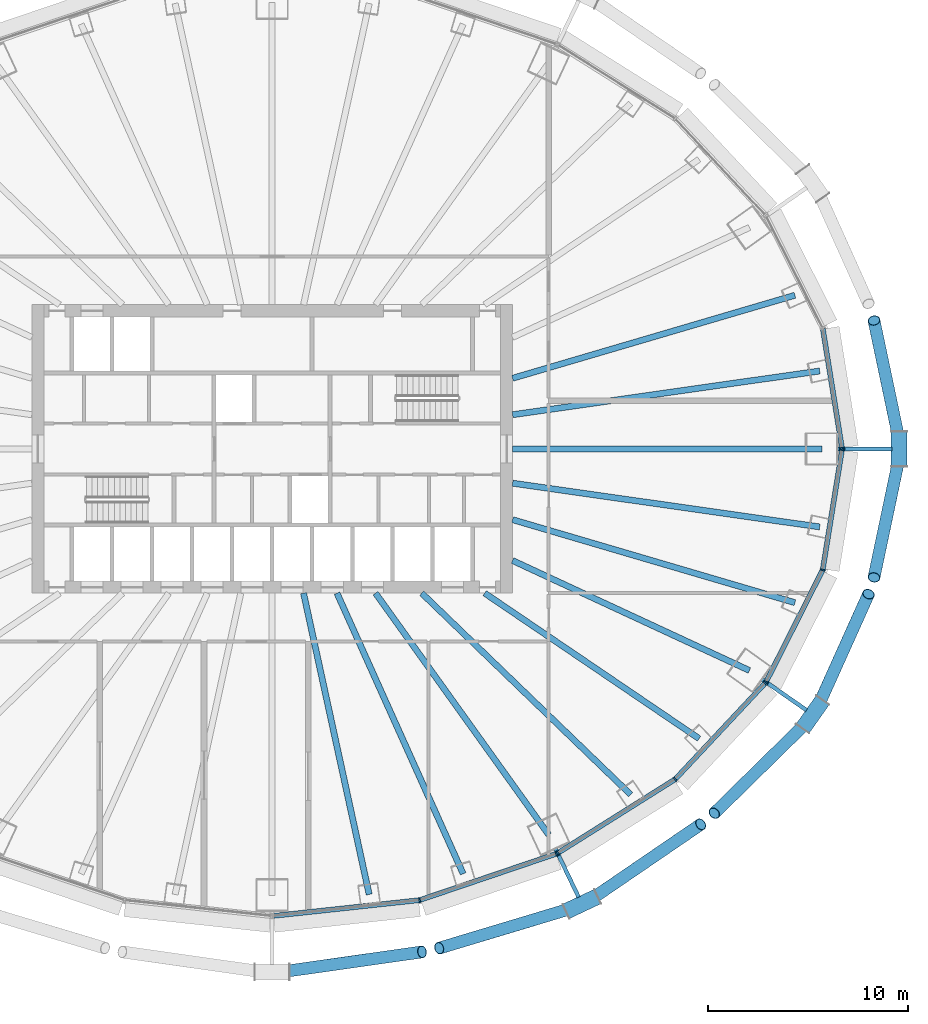
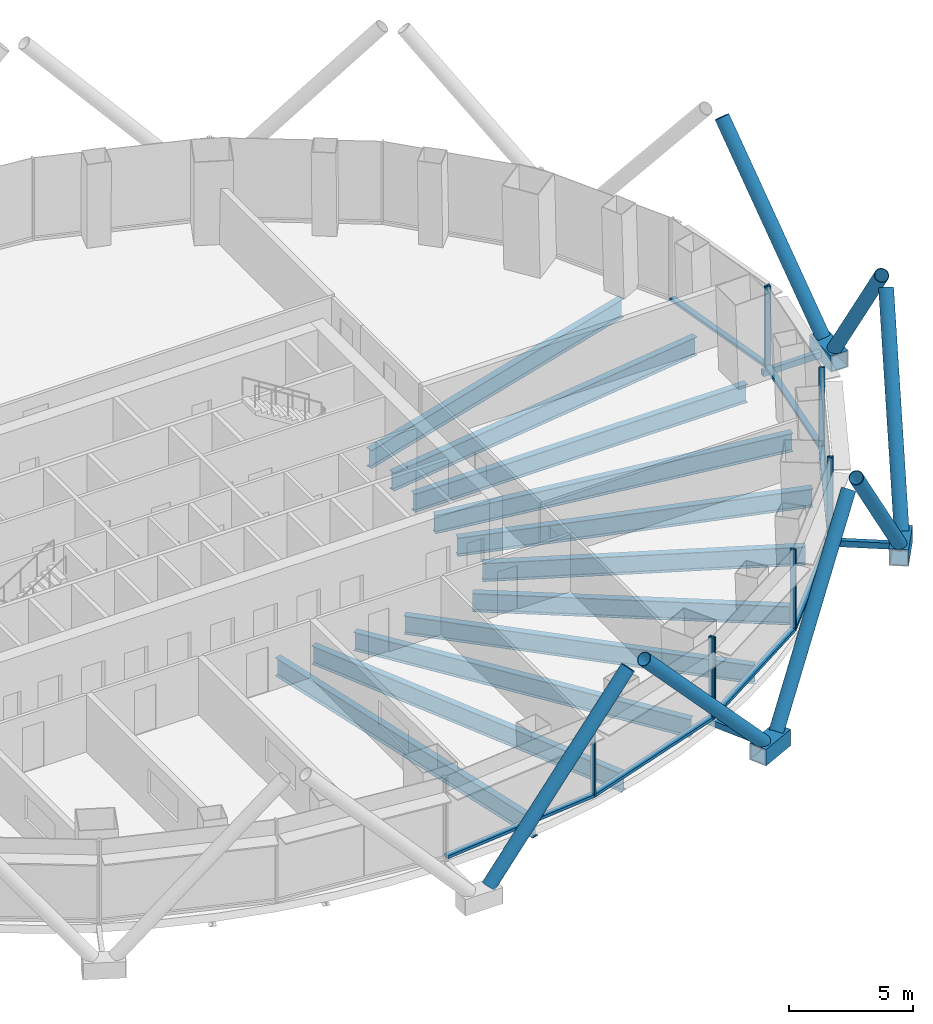
# One storey, part 3 of 16: 29 members, 11 beams, 4 elements without a shape of their own.
"""IFC4 building model written with IfcOpenShell, lengths in metres."""

from ifc_helpers import new_model, si_unit, direction, frame, origin, origin_2d, place, context, subcontext, project, spatial, rectangle, hollow_rectangle, hollow_circle, i_section, extrude, material, layer, layer_set, material_profile, profile_set, type_object, element, aggregate, save


model = new_model("IFC4")

# Units and contexts
model_context = context("Model", 3, precision=1e-05, world=origin(), true_north=direction((0.0, 1.0)))
body_context = subcontext(model_context, "Body", "Model", "MODEL_VIEW")
ifc_project = project(units=[si_unit("LENGTHUNIT", "METRE"), si_unit("AREAUNIT", "SQUARE_METRE"), si_unit("VOLUMEUNIT", "CUBIC_METRE"), si_unit("PLANEANGLEUNIT", "RADIAN"), si_unit("MASSUNIT", "GRAM", prefix="KILO")], contexts=[model_context])

# Site, building, storey
site_placement = place(None, origin())
site = spatial("IfcSite", under=ifc_project, at=site_placement, CompositionType="ELEMENT")
building_placement = place(site_placement, origin())
building = spatial("IfcBuilding", under=site, at=building_placement, Name="Siaravel Broadcast Tower", CompositionType="ELEMENT")
storey_placement = place(building_placement, frame((0.0, 0.0, 28.699951171875)))
storey = spatial("IfcBuildingStorey", under=building, at=storey_placement, Name="L05", CompositionType="ELEMENT", Elevation=28.699951171875)

# Beams
ifc_material_1 = material(Name="Steel S355", Category="steel")
ifc_material_profile_1 = material_profile(ifc_material_1, i_section(OverallWidth=0.30322265625, OverallDepth=0.903076171875, WebThickness=0.01513671875, FlangeThickness=0.020263671875, FilletRadius=0.01904296875, at=origin_2d()))
ifc_profile_set_1 = profile_set([ifc_material_profile_1], Name="Steel S355")
beam_type = type_object("IfcBeamType", Name="BM-UB 914x305x201", PredefinedType="BEAM", material=ifc_profile_set_1)
beam_1_placement = place(storey_placement, frame((27.448974609375, 0.0, -0.8515625), z_axis=(-1.0, 0.0, 0.0), x_axis=(0.0, -1.0, 0.0)))
element("IfcBeam", 1, at=beam_1_placement, inside=storey, type_object=beam_type, Name="Radial beam RB01", PredefinedType="BEAM", context=body_context, shape_type="SweptSolid", body=[
    extrude(i_section(OverallWidth=0.30322265625, OverallDepth=0.903076171875, WebThickness=0.01513671875, FlangeThickness=0.020263671875, FilletRadius=0.01904296875, at=origin_2d()), origin(), (0.0, 0.0, 1.0), 15.448974609375),
])
beam_2_placement = place(storey_placement, frame((27.3330078125, 3.892333984375, -0.8515625), z_axis=(-0.990013392, -0.140973342, 0.0), x_axis=(0.140973342, -0.990013392, 0.0)))
element("IfcBeam", 2, at=beam_2_placement, inside=storey, type_object=beam_type, Name="Radial beam RB02", PredefinedType="BEAM", context=body_context, shape_type="SweptSolid", body=[
    extrude(i_section(OverallWidth=0.30322265625, OverallDepth=0.903076171875, WebThickness=0.01513671875, FlangeThickness=0.020263671875, FilletRadius=0.01904296875, at=origin_2d()), origin(), (0.0, 0.0, 1.0), 15.48779296875),
])
beam_3_placement = place(storey_placement, frame((26.09619140625, 7.673095703125, -0.8515625), z_axis=(-0.959386931, -0.282093455, 0.0), x_axis=(0.282093455, -0.959386931, 0.0)))
element("IfcBeam", 3, at=beam_3_placement, inside=storey, type_object=beam_type, Name="Radial beam RB03", PredefinedType="BEAM", context=body_context, shape_type="SweptSolid", body=[
    extrude(i_section(OverallWidth=0.30322265625, OverallDepth=0.903076171875, WebThickness=0.01513671875, FlangeThickness=0.020263671875, FilletRadius=0.01904296875, at=origin_2d()), origin(), (0.0, 0.0, 1.0), 14.69287109375),
])
beam_4_placement = place(storey_placement, frame((4.843017578125, -22.23779296875, -0.8515625), z_axis=(-0.212789875, 0.977097983, 0.0), x_axis=(-0.977097983, -0.212789875, 0.0)))
element("IfcBeam", 4, at=beam_4_placement, inside=storey, type_object=beam_type, Name="Radial beam RB29", PredefinedType="BEAM", context=body_context, shape_type="SweptSolid", body=[
    extrude(i_section(OverallWidth=0.30322265625, OverallDepth=0.903076171875, WebThickness=0.01513671875, FlangeThickness=0.020263671875, FilletRadius=0.01904296875, at=origin_2d()), origin(), (0.0, 0.0, 1.0), 15.390380859375),
])
beam_5_placement = place(storey_placement, frame((9.535888671875, -21.2080078125, -0.8515625), z_axis=(-0.41009169, 0.9120443, 0.0), x_axis=(-0.9120443, -0.41009169, 0.0)))
element("IfcBeam", 5, at=beam_5_placement, inside=storey, type_object=beam_type, Name="Radial beam RB30", PredefinedType="BEAM", context=body_context, shape_type="SweptSolid", body=[
    extrude(i_section(OverallWidth=0.30322265625, OverallDepth=0.903076171875, WebThickness=0.01513671875, FlangeThickness=0.020263671875, FilletRadius=0.01904296875, at=origin_2d()), origin(), (0.0, 0.0, 1.0), 15.35888671875),
])
beam_6_placement = place(storey_placement, frame((13.80419921875, -19.25732421875, -0.8515625), z_axis=(-0.582605738, 0.812754917, 0.0), x_axis=(-0.812754917, -0.582605738, 0.0)))
element("IfcBeam", 6, at=beam_6_placement, inside=storey, type_object=beam_type, Name="Radial beam RB31", PredefinedType="BEAM", context=body_context, shape_type="SweptSolid", body=[
    extrude(i_section(OverallWidth=0.30322265625, OverallDepth=0.903076171875, WebThickness=0.01513671875, FlangeThickness=0.020263671875, FilletRadius=0.01904296875, at=origin_2d()), origin(), (0.0, 0.0, 1.0), 14.835205078125),
])
beam_7_placement = place(storey_placement, frame((17.897705078125, -17.25439453125, -0.8515625), z_axis=(-0.719923086, 0.694053852, 0.0), x_axis=(-0.694053852, -0.719923086, 0.0)))
element("IfcBeam", 7, at=beam_7_placement, inside=storey, type_object=beam_type, Name="Radial beam RB32", PredefinedType="BEAM", context=body_context, shape_type="SweptSolid", body=[
    extrude(i_section(OverallWidth=0.30322265625, OverallDepth=0.903076171875, WebThickness=0.01513671875, FlangeThickness=0.020263671875, FilletRadius=0.01904296875, at=origin_2d()), origin(), (0.0, 0.0, 1.0), 14.486572265625),
])
beam_8_placement = place(storey_placement, frame((21.310791015625, -14.458984375, -0.8515625), z_axis=(-0.827505228, 0.561458011, 0.0), x_axis=(-0.561458011, -0.827505228, 0.0)))
element("IfcBeam", 8, at=beam_8_placement, inside=storey, type_object=beam_type, Name="Radial beam RB33", PredefinedType="BEAM", context=body_context, shape_type="SweptSolid", body=[
    extrude(i_section(OverallWidth=0.30322265625, OverallDepth=0.903076171875, WebThickness=0.01513671875, FlangeThickness=0.020263671875, FilletRadius=0.01904296875, at=origin_2d()), origin(), (0.0, 0.0, 1.0), 12.928955078125),
])
beam_9_placement = place(storey_placement, frame((23.824951171875, -11.05859375, -0.8515625), z_axis=(-0.907056733, 0.421008412, 0.0), x_axis=(-0.421008412, -0.907056733, 0.0)))
element("IfcBeam", 9, at=beam_9_placement, inside=storey, type_object=beam_type, Name="Radial beam RB34", PredefinedType="BEAM", context=body_context, shape_type="SweptSolid", body=[
    extrude(i_section(OverallWidth=0.30322265625, OverallDepth=0.903076171875, WebThickness=0.01513671875, FlangeThickness=0.020263671875, FilletRadius=0.01904296875, at=origin_2d()), origin(), (0.0, 0.0, 1.0), 13.03662109375),
])
beam_10_placement = place(storey_placement, frame((26.09619140625, -7.673095703125, -0.8515625), z_axis=(-0.959386931, 0.282093455, 0.0), x_axis=(-0.282093455, -0.959386931, 0.0)))
element("IfcBeam", 10, at=beam_10_placement, inside=storey, type_object=beam_type, Name="Radial beam RB35", PredefinedType="BEAM", context=body_context, shape_type="SweptSolid", body=[
    extrude(i_section(OverallWidth=0.30322265625, OverallDepth=0.903076171875, WebThickness=0.01513671875, FlangeThickness=0.020263671875, FilletRadius=0.01904296875, at=origin_2d()), origin(), (0.0, 0.0, 1.0), 14.69287109375),
])
beam_11_placement = place(storey_placement, frame((27.3330078125, -3.892333984375, -0.8515625), z_axis=(-0.990013392, 0.140973342, 0.0), x_axis=(-0.140973342, -0.990013392, 0.0)))
element("IfcBeam", 11, at=beam_11_placement, inside=storey, type_object=beam_type, Name="Radial beam RB36", PredefinedType="BEAM", context=body_context, shape_type="SweptSolid", body=[
    extrude(i_section(OverallWidth=0.30322265625, OverallDepth=0.903076171875, WebThickness=0.01513671875, FlangeThickness=0.020263671875, FilletRadius=0.01904296875, at=origin_2d()), origin(), (0.0, 0.0, 1.0), 15.48779296875),
])

# Curtain wall, member
ifc_material_2 = material(Name="Aluminium 6063-T6", Category="aluminium")
ifc_layer = layer(ifc_material_2, 0.25)
ifc_layer_set = layer_set([ifc_layer], Name="Aluminium 6063-T6")
curtain_wall_type = type_object("IfcCurtainWallType", Name="Podium newsroom glazing", PredefinedType="NOTDEFINED", material=ifc_layer_set)
curtain_wall_1_placement = place(storey_placement, origin())
curtain_wall_1 = element("IfcCurtainWall", 12, at=curtain_wall_1_placement, inside=storey, type_object=curtain_wall_type, Name="L05 Podium newsroom glazing 01", PredefinedType="NOTDEFINED")
ifc_material_profile_2 = material_profile(ifc_material_2, rectangle(XDim=0.25, YDim=0.080078125, at=origin_2d()))
ifc_profile_set_2 = profile_set([ifc_material_profile_2], Name="Aluminium 6063-T6")
member_type_1 = type_object("IfcMemberType", Name="CW-PD mullion", PredefinedType="MULLION", material=ifc_profile_set_2)
member_1_placement = place(storey_placement, frame((28.447265625, 0.03955078125, 0.0), z_axis=(0.0, 0.0, 1.0), x_axis=(-0.987329072, -0.158686178, 0.0)))
member_1 = element("IfcMember", 13, at=member_1_placement, type_object=member_type_1, Name="CW-PD mullion 1", PredefinedType="MULLION", context=body_context, shape_type="SweptSolid", body=[
    extrude(rectangle(XDim=0.25, YDim=0.080078125, at=origin_2d()), origin(), (0.0, 0.0, 1.0), 4.0),
])

# Curtain wall, members
curtain_wall_2_placement = place(storey_placement, origin())
curtain_wall_2 = element("IfcCurtainWall", 14, at=curtain_wall_2_placement, inside=storey, type_object=curtain_wall_type, Name="L05 Podium newsroom glazing 10", PredefinedType="NOTDEFINED")
member_2_placement = place(storey_placement, frame((7.362060546875, -22.521728515625, 0.0), z_axis=(0.0, 0.0, 1.0), x_axis=(-0.215557626, 0.976491121, 0.0)))
member_2 = element("IfcMember", 15, at=member_2_placement, type_object=member_type_1, Name="CW-PD mullion 2", PredefinedType="MULLION", context=body_context, shape_type="SweptSolid", body=[
    extrude(rectangle(XDim=0.25, YDim=0.080078125, at=origin_2d()), origin(), (0.0, 0.0, 1.0), 4.0),
])
member_3_placement = place(storey_placement, frame((14.185302734375, -20.206787109375, 0.0), z_axis=(0.0, 0.0, 1.0), x_axis=(-0.321299974, 0.946977469, 0.0)))
member_3 = element("IfcMember", 16, at=member_3_placement, type_object=member_type_1, Name="CW-PD mullion 3", PredefinedType="MULLION", context=body_context, shape_type="SweptSolid", body=[
    extrude(rectangle(XDim=0.25, YDim=0.080078125, at=origin_2d()), origin(), (0.0, 0.0, 1.0), 4.0),
])

curtain_wall_3_placement = place(storey_placement, origin())
curtain_wall_3 = element("IfcCurtainWall", 17, at=curtain_wall_3_placement, inside=storey, type_object=curtain_wall_type, Name="L05 Podium newsroom glazing 11", PredefinedType="NOTDEFINED")
member_4_placement = place(storey_placement, frame((14.257080078125, -20.172607421875, 0.0), z_axis=(0.0, 0.0, 1.0), x_axis=(-0.532148221, 0.84665121, 0.0)))
member_4 = element("IfcMember", 18, at=member_4_placement, type_object=member_type_1, Name="CW-PD mullion 1", PredefinedType="MULLION", context=body_context, shape_type="SweptSolid", body=[
    extrude(rectangle(XDim=0.25, YDim=0.080078125, at=origin_2d()), origin(), (0.0, 0.0, 1.0), 4.0),
])
member_5_placement = place(storey_placement, frame((20.1162109375, -16.489990234375, 0.0), z_axis=(0.0, 0.0, 1.0), x_axis=(-0.636217558, 0.771509701, 0.0)))
member_5 = element("IfcMember", 19, at=member_5_placement, type_object=member_type_1, Name="CW-PD mullion 2", PredefinedType="MULLION", context=body_context, shape_type="SweptSolid", body=[
    extrude(rectangle(XDim=0.25, YDim=0.080078125, at=origin_2d()), origin(), (0.0, 0.0, 1.0), 4.0),
])
member_6_placement = place(storey_placement, frame((24.61181640625, -11.69091796875, 0.0), z_axis=(0.0, 0.0, 1.0), x_axis=(-0.729804146, 0.68365628, 0.0)))
member_6 = element("IfcMember", 20, at=member_6_placement, type_object=member_type_1, Name="CW-PD mullion 3", PredefinedType="MULLION", context=body_context, shape_type="SweptSolid", body=[
    extrude(rectangle(XDim=0.25, YDim=0.080078125, at=origin_2d()), origin(), (0.0, 0.0, 1.0), 4.0),
])

curtain_wall_4_placement = place(storey_placement, origin())
curtain_wall_4 = element("IfcCurtainWall", 21, at=curtain_wall_4_placement, inside=storey, type_object=curtain_wall_type, Name="L05 Podium newsroom glazing 12", PredefinedType="NOTDEFINED")
member_7_placement = place(storey_placement, frame((24.6572265625, -11.6259765625, 0.0), z_axis=(0.0, 0.0, 1.0), x_axis=(-0.89239138, 0.451262258, 0.0)))
member_7 = element("IfcMember", 22, at=member_7_placement, type_object=member_type_1, Name="CW-PD mullion 1", PredefinedType="MULLION", context=body_context, shape_type="SweptSolid", body=[
    extrude(rectangle(XDim=0.25, YDim=0.080078125, at=origin_2d()), origin(), (0.0, 0.0, 1.0), 4.0),
])
member_8_placement = place(storey_placement, frame((27.4833984375, -6.037109375, 0.0), z_axis=(0.0, 0.0, 1.0), x_axis=(-0.951176868, 0.308646343, 0.0)))
member_8 = element("IfcMember", 23, at=member_8_placement, type_object=member_type_1, Name="CW-PD mullion 2", PredefinedType="MULLION", context=body_context, shape_type="SweptSolid", body=[
    extrude(rectangle(XDim=0.25, YDim=0.080078125, at=origin_2d()), origin(), (0.0, 0.0, 1.0), 4.0),
])
member_9_placement = place(storey_placement, frame((28.447265625, -0.03955078125, 0.0), z_axis=(0.0, 0.0, 1.0), x_axis=(-0.987329072, 0.158686178, 0.0)))
member_9 = element("IfcMember", 24, at=member_9_placement, type_object=member_type_1, Name="CW-PD mullion 3", PredefinedType="MULLION", context=body_context, shape_type="SweptSolid", body=[
    extrude(rectangle(XDim=0.25, YDim=0.080078125, at=origin_2d()), origin(), (0.0, 0.0, 1.0), 4.0),
])

# Member
ifc_material_profile_3 = material_profile(ifc_material_2, rectangle(XDim=0.25, YDim=0.139892578125, at=origin_2d()))
ifc_profile_set_3 = profile_set([ifc_material_profile_3], Name="Aluminium 6063-T6")
member_type_2 = type_object("IfcMemberType", Name="CW-PD transom", PredefinedType="USERDEFINED", material=ifc_profile_set_3)
member_10_placement = place(storey_placement, frame((28.44091796875, 0.0791015625, 0.070068359375), z_axis=(-0.158709998, 0.987325244, 0.0), x_axis=(-0.987325244, -0.158709998, 0.0)))
member_10 = element("IfcMember", 25, at=member_10_placement, type_object=member_type_2, Name="CW-PD transom 1", ObjectType="TRANSOM", PredefinedType="USERDEFINED", context=body_context, shape_type="SweptSolid", body=[
    extrude(rectangle(XDim=0.25, YDim=0.139892578125, at=origin_2d()), origin(), (0.0, 0.0, 1.0), 5.99462890625),
])

aggregate(curtain_wall_1, [member_1, member_10])

member_11_placement = place(storey_placement, frame((0.07958984375, -23.30712890625, 0.070068359375), z_axis=(0.994236146, 0.107212345, 0.0), x_axis=(-0.107212345, 0.994236146, 0.0)))
member_11 = element("IfcMember", 26, at=member_11_placement, type_object=member_type_2, Name="CW-PD transom 1", ObjectType="TRANSOM", PredefinedType="USERDEFINED", context=body_context, shape_type="SweptSolid", body=[
    extrude(rectangle(XDim=0.25, YDim=0.139892578125, at=origin_2d()), origin(), (0.0, 0.0, 1.0), 7.28466796875),
])

member_12_placement = place(storey_placement, frame((7.39990234375, -22.5087890625, 0.070068359375), z_axis=(0.946980562, 0.321290858, 0.0), x_axis=(-0.321290858, 0.946980562, 0.0)))
member_12 = element("IfcMember", 27, at=member_12_placement, type_object=member_type_2, Name="CW-PD transom 2", ObjectType="TRANSOM", PredefinedType="USERDEFINED", context=body_context, shape_type="SweptSolid", body=[
    extrude(rectangle(XDim=0.25, YDim=0.139892578125, at=origin_2d()), origin(), (0.0, 0.0, 1.0), 7.125244140625),
])

aggregate(curtain_wall_2, [member_2, member_3, member_11, member_12])

member_13_placement = place(storey_placement, frame((14.291015625, -20.1513671875, 0.070068359375), z_axis=(0.846642063, 0.532162774, 0.0), x_axis=(-0.532162774, 0.846642063, 0.0)))
member_13 = element("IfcMember", 28, at=member_13_placement, type_object=member_type_2, Name="CW-PD transom 1", ObjectType="TRANSOM", PredefinedType="USERDEFINED", context=body_context, shape_type="SweptSolid", body=[
    extrude(rectangle(XDim=0.25, YDim=0.139892578125, at=origin_2d()), origin(), (0.0, 0.0, 1.0), 6.84033203125),
])

member_14_placement = place(storey_placement, frame((20.143310546875, -16.460693359375, 0.070068359375), z_axis=(0.683673548, 0.729787969, 0.0), x_axis=(-0.729787969, 0.683673548, 0.0)))
member_14 = element("IfcMember", 29, at=member_14_placement, type_object=member_type_2, Name="CW-PD transom 2", ObjectType="TRANSOM", PredefinedType="USERDEFINED", context=body_context, shape_type="SweptSolid", body=[
    extrude(rectangle(XDim=0.25, YDim=0.139892578125, at=origin_2d()), origin(), (0.0, 0.0, 1.0), 6.49609375),
])

aggregate(curtain_wall_3, [member_4, member_5, member_6, member_13, member_14])

member_15_placement = place(storey_placement, frame((24.67529296875, -11.59033203125, 0.070068359375), z_axis=(0.451221003, 0.89241224, 0.0), x_axis=(-0.89241224, 0.451221003, 0.0)))
member_15 = element("IfcMember", 30, at=member_15_placement, type_object=member_type_2, Name="CW-PD transom 1", ObjectType="TRANSOM", PredefinedType="USERDEFINED", context=body_context, shape_type="SweptSolid", body=[
    extrude(rectangle(XDim=0.25, YDim=0.139892578125, at=origin_2d()), origin(), (0.0, 0.0, 1.0), 6.182861328125),
])

member_16_placement = place(storey_placement, frame((27.489501953125, -5.997802734375, 0.070068359375), z_axis=(0.158709998, 0.987325244, 0.0), x_axis=(-0.987325244, 0.158709998, 0.0)))
member_16 = element("IfcMember", 31, at=member_16_placement, type_object=member_type_2, Name="CW-PD transom 2", ObjectType="TRANSOM", PredefinedType="USERDEFINED", context=body_context, shape_type="SweptSolid", body=[
    extrude(rectangle(XDim=0.25, YDim=0.139892578125, at=origin_2d()), origin(), (0.0, 0.0, 1.0), 5.99462890625),
])

aggregate(curtain_wall_4, [member_7, member_8, member_9, member_15, member_16])

# Members
ifc_material_3 = material(Name="Steel S460", Category="steel")
ifc_material_profile_4 = material_profile(ifc_material_3, hollow_circle(Radius=0.304931640625, WallThickness=0.02490234375, at=origin_2d()))
ifc_profile_set_4 = profile_set([ifc_material_profile_4], Name="Steel S460")
member_type_3 = type_object("IfcMemberType", Name="Diagrid diagonal CHS 610x25", PredefinedType="BRACE", material=ifc_profile_set_4)
for number, where, z_axis, x_axis, name in (
    (32, (31.299560546875, -0.435546875, 0.170166015625), (-0.128310999, -0.610311892, 0.781700507), (0.978606546, -0.205740681, 0.0), "Diagrid diagonal R03 station 00C"),
    (33, (31.299560546875, 0.435546875, 0.170166015625), (-0.128310999, 0.610311892, 0.781700507), (-0.978606546, -0.205740681, 0.0), "Diagrid diagonal R03 station 00A"),
):
    element("IfcMember", number, at=place(storey_placement, frame(where, z_axis=z_axis, x_axis=x_axis)), inside=storey, type_object=member_type_3, Name=name, PredefinedType="BRACE", context=body_context, shape_type="SweptSolid", body=[
        extrude(hollow_circle(Radius=0.304931640625, WallThickness=0.02490234375, at=origin_2d()), origin(), (0.0, 0.0, 1.0), 9.799072265625),
    ])
member_17_placement = place(storey_placement, frame((0.435546875, -26.108154296875, 0.170166015625), z_axis=(0.673977872, 0.095838962, 0.732508513), x_axis=(-0.140782746, 0.990040514, 0.0)))
element("IfcMember", 34, at=member_17_placement, inside=storey, type_object=member_type_3, Name="Diagrid diagonal R03 station 54A", PredefinedType="BRACE", context=body_context, shape_type="SweptSolid", body=[
    extrude(hollow_circle(Radius=0.304931640625, WallThickness=0.02490234375, at=origin_2d()), origin(), (0.0, 0.0, 1.0), 10.45703125),
])
member_18_placement = place(storey_placement, frame((15.067626953125, -22.895263671875, 0.170166015625), z_axis=(-0.647594304, -0.19465398, 0.736703092), x_axis=(0.287857547, -0.957673239, 0.0)))
element("IfcMember", 35, at=member_18_placement, inside=storey, type_object=member_type_3, Name="Diagrid diagonal R03 station 60C", PredefinedType="BRACE", context=body_context, shape_type="SweptSolid", body=[
    extrude(hollow_circle(Radius=0.304931640625, WallThickness=0.02490234375, at=origin_2d()), origin(), (0.0, 0.0, 1.0), 10.3974609375),
])
member_19_placement = place(storey_placement, frame((15.85498046875, -22.522705078125, 0.170166015625), z_axis=(0.544071533, 0.371609584, 0.752258256), x_axis=(-0.564011883, 0.825766672, 0.0)))
element("IfcMember", 36, at=member_19_placement, inside=storey, type_object=member_type_3, Name="Diagrid diagonal R03 station 60A", PredefinedType="BRACE", context=body_context, shape_type="SweptSolid", body=[
    extrude(hollow_circle(Radius=0.304931640625, WallThickness=0.02490234375, at=origin_2d()), origin(), (0.0, 0.0, 1.0), 10.1826171875),
])
member_20_placement = place(storey_placement, frame((26.728759765625, -13.60791015625, 0.170166015625), z_axis=(-0.462865916, -0.454814808, 0.760853885), x_axis=(0.700876134, -0.713283005, 0.0)))
element("IfcMember", 37, at=member_20_placement, inside=storey, type_object=member_type_3, Name="Diagrid diagonal R03 station 66C", PredefinedType="BRACE", context=body_context, shape_type="SweptSolid", body=[
    extrude(hollow_circle(Radius=0.304931640625, WallThickness=0.02490234375, at=origin_2d()), origin(), (0.0, 0.0, 1.0), 10.067626953125),
])
member_21_placement = place(storey_placement, frame((27.23046875, -12.89599609375, 0.170166015625), z_axis=(0.257898381, 0.573655403, 0.777436752), x_axis=(-0.912068139, 0.410038668, 0.0)))
element("IfcMember", 38, at=member_21_placement, inside=storey, type_object=member_type_3, Name="Diagrid diagonal R03 station 66A", PredefinedType="BRACE", context=body_context, shape_type="SweptSolid", body=[
    extrude(hollow_circle(Radius=0.304931640625, WallThickness=0.02490234375, at=origin_2d()), origin(), (0.0, 0.0, 1.0), 9.852783203125),
])
ifc_material_profile_5 = material_profile(ifc_material_3, hollow_rectangle(XDim=0.800048828125, YDim=0.800048828125, WallThickness=0.050048828125, at=origin_2d()))
ifc_profile_set_5 = profile_set([ifc_material_profile_5], Name="Steel S460")
member_type_4 = type_object("IfcMemberType", Name="Diagrid node BOX 800x800x50", PredefinedType="USERDEFINED", material=ifc_profile_set_5)
for number, where, z_axis, x_axis, name in (
    (39, (31.299560546875, -0.860595703125, -0.199951171875), (0.0, 1.0, 0.0), (-1.0, 0.0, 0.0), "Diagrid node R03 station 00"),
    (40, (14.683349609375, -23.076904296875, -0.199951171875), (0.904000505, 0.427531386, 0.0), (-0.427531386, 0.904000505, 0.0), "Diagrid node R03 station 60"),
):
    element("IfcMember", number, at=place(storey_placement, frame(where, z_axis=z_axis, x_axis=x_axis)), inside=storey, type_object=member_type_4, Name=name, ObjectType="DIAGRID NODE", PredefinedType="USERDEFINED", context=body_context, shape_type="SweptSolid", body=[
        extrude(hollow_rectangle(XDim=0.800048828125, YDim=0.800048828125, WallThickness=0.050048828125, at=origin_2d()), origin(), (0.0, 0.0, 1.0), 1.72119140625),
    ])
member_22_placement = place(storey_placement, frame((26.48388671875, -13.955322265625, -0.199951171875), z_axis=(0.576087108, 0.817388307, 0.0), x_axis=(-0.817388307, 0.576087108, 0.0)))
element("IfcMember", 41, at=member_22_placement, inside=storey, type_object=member_type_4, Name="Diagrid node R03 station 66", ObjectType="DIAGRID NODE", PredefinedType="USERDEFINED", context=body_context, shape_type="SweptSolid", body=[
    extrude(hollow_rectangle(XDim=0.800048828125, YDim=0.800048828125, WallThickness=0.050048828125, at=origin_2d()), origin(), (0.0, 0.0, 1.0), 1.720947265625),
])
ifc_material_profile_6 = material_profile(ifc_material_3, hollow_rectangle(XDim=0.199951171875, YDim=0.300048828125, WallThickness=0.012451171875, at=origin_2d()))
ifc_profile_set_6 = profile_set([ifc_material_profile_6], Name="Steel S460")
member_type_5 = type_object("IfcMemberType", Name="Diagrid node arm RHS 300x200x12.5", PredefinedType="STRUT", material=ifc_profile_set_6)
member_23_placement = place(storey_placement, frame((28.218994140625, 0.0, -0.199951171875), z_axis=(1.0, 0.0, 0.0), x_axis=(0.0, 1.0, 0.0)))
element("IfcMember", 42, at=member_23_placement, inside=storey, type_object=member_type_5, Name="Node arm R03 station 00", PredefinedType="STRUT", context=body_context, shape_type="SweptSolid", body=[
    extrude(hollow_rectangle(XDim=0.199951171875, YDim=0.300048828125, WallThickness=0.012451171875, at=origin_2d()), origin(), (0.0, 0.0, 1.0), 2.71044921875),
])
member_24_placement = place(storey_placement, frame((14.137451171875, -19.951416015625, -0.199951171875), z_axis=(0.432810761, -0.9014848, 0.0), x_axis=(0.9014848, 0.432810761, 0.0)))
element("IfcMember", 43, at=member_24_placement, inside=storey, type_object=member_type_5, Name="Node arm R03 station 60", PredefinedType="STRUT", context=body_context, shape_type="SweptSolid", body=[
    extrude(hollow_rectangle(XDim=0.199951171875, YDim=0.300048828125, WallThickness=0.012451171875, at=origin_2d()), origin(), (0.0, 0.0, 1.0), 2.68896484375),
])
member_25_placement = place(storey_placement, frame((24.457275390625, -11.498291015625, -0.199951171875), z_axis=(0.821048822, -0.570857979, 0.0), x_axis=(0.570857979, 0.821048822, 0.0)))
element("IfcMember", 44, at=member_25_placement, inside=storey, type_object=member_type_5, Name="Node arm R03 station 66", PredefinedType="STRUT", context=body_context, shape_type="SweptSolid", body=[
    extrude(hollow_rectangle(XDim=0.199951171875, YDim=0.300048828125, WallThickness=0.012451171875, at=origin_2d()), origin(), (0.0, 0.0, 1.0), 2.7021484375),
])

save(model, "model.ifc")
